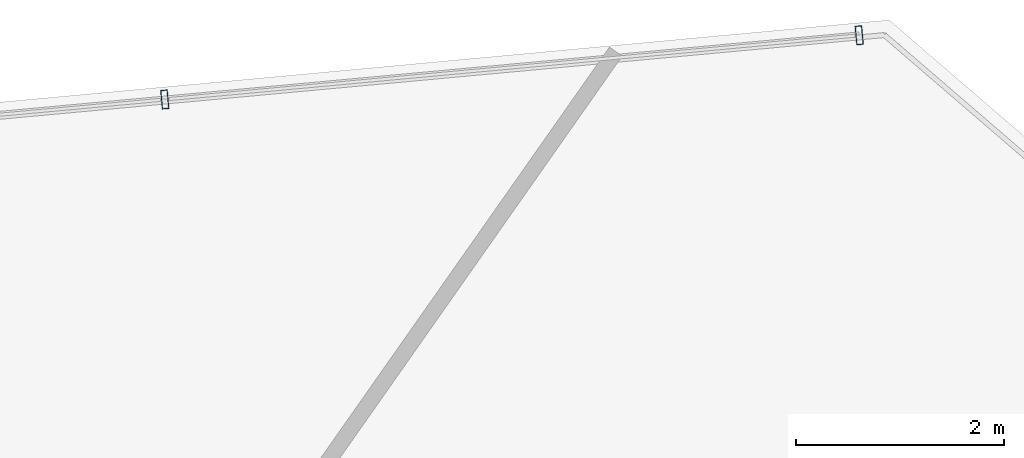
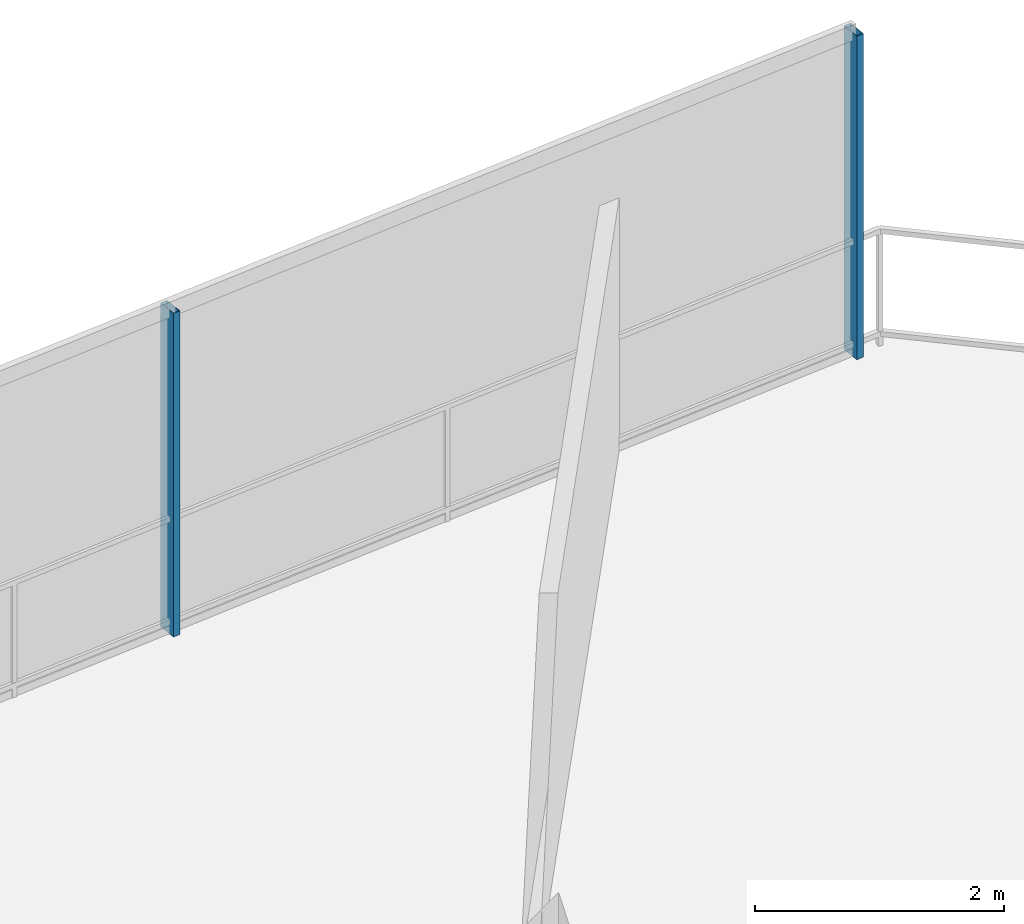
# One storey, part 23 of 30: 2 members, 1 element without a shape of its own.
"""IFC4 building model written with IfcOpenShell, lengths in metres."""

from ifc_helpers import new_model, si_unit, direction, frame, origin, origin_2d, place, context, subcontext, project, spatial, hollow_rectangle, extrude, material, layer, layer_set, material_profile, profile_set, type_object, element, aggregate, save


model = new_model("IFC4")

# Units and contexts
model_context = context("Model", 3, precision=1e-05, world=origin(), true_north=direction((0.0, 1.0)))
body_context = subcontext(model_context, "Body", "Model", "MODEL_VIEW")
ifc_project = project(units=[si_unit("LENGTHUNIT", "METRE"), si_unit("AREAUNIT", "SQUARE_METRE"), si_unit("VOLUMEUNIT", "CUBIC_METRE"), si_unit("PLANEANGLEUNIT", "RADIAN"), si_unit("MASSUNIT", "GRAM", prefix="KILO")], contexts=[model_context])

# Site, building, storey
site_placement = place(None, origin())
site = spatial("IfcSite", under=ifc_project, at=site_placement, CompositionType="ELEMENT")
building_placement = place(site_placement, origin())
building = spatial("IfcBuilding", under=site, at=building_placement, Name="Qarnah Convention Tower", CompositionType="ELEMENT")
storey_placement = place(building_placement, frame((0.0, 0.0, 86.699951171875)))
storey = spatial("IfcBuildingStorey", under=building, at=storey_placement, Name="L22", CompositionType="ELEMENT", Elevation=86.699951171875)

# Curtain wall, members
ifc_material_1 = material(Name="Tempered Low-E dark glass", Category="glass")
ifc_layer = layer(ifc_material_1, 0.169921875)
ifc_layer_set = layer_set([ifc_layer], Name="Tempered Low-E dark glass")
curtain_wall_type = type_object("IfcCurtainWallType", Name="CWS-02", PredefinedType="NOTDEFINED", material=ifc_layer_set)
curtain_wall_placement = place(storey_placement, origin())
curtain_wall = element("IfcCurtainWall", 1, at=curtain_wall_placement, inside=storey, type_object=curtain_wall_type, Name="L22 unitised curtain wall CW-L22-F1", PredefinedType="NOTDEFINED")
ifc_material_2 = material(Name="Black anodised aluminium", Category="aluminium")
ifc_material_profile = material_profile(ifc_material_2, hollow_rectangle(XDim=0.06494140625, YDim=0.179931640625, WallThickness=0.00390625, at=origin_2d()), Name="MUL-65X180")
ifc_profile_set = profile_set([ifc_material_profile], Name="Black anodised aluminium")
member_type = type_object("IfcMemberType", Name="MUL-T2", PredefinedType="MULLION", material=ifc_profile_set)
member_1_placement = place(storey_placement, frame((46.46435546875, 44.97998046875, 0.0), z_axis=(0.0, 0.0, 1.0), x_axis=(0.995756103548, 0.092031419885, 0.0)))
member_1 = element("IfcMember", 2, at=member_1_placement, type_object=member_type, Name="CW-L22-F1 mullion 5", PredefinedType="MULLION", context=body_context, shape_type="SweptSolid", body=[
    extrude(hollow_rectangle(XDim=0.06494140625, YDim=0.179931640625, WallThickness=0.00390625, at=origin_2d()), origin(), (0.0, 0.0, 1.0), 3.170166015625),
])
member_2_placement = place(storey_placement, frame((53.15087890625, 45.597900390625, 0.0), z_axis=(0.0, 0.0, 1.0), x_axis=(0.995756103548, 0.092031419885, 0.0)))
member_2 = element("IfcMember", 3, at=member_2_placement, type_object=member_type, Name="CW-L22-F1 mullion 6", PredefinedType="MULLION", context=body_context, shape_type="SweptSolid", body=[
    extrude(hollow_rectangle(XDim=0.06494140625, YDim=0.179931640625, WallThickness=0.00390625, at=origin_2d()), origin(), (0.0, 0.0, 1.0), 3.170166015625),
])
aggregate(curtain_wall, [member_1, member_2])

save(model, "model.ifc")
